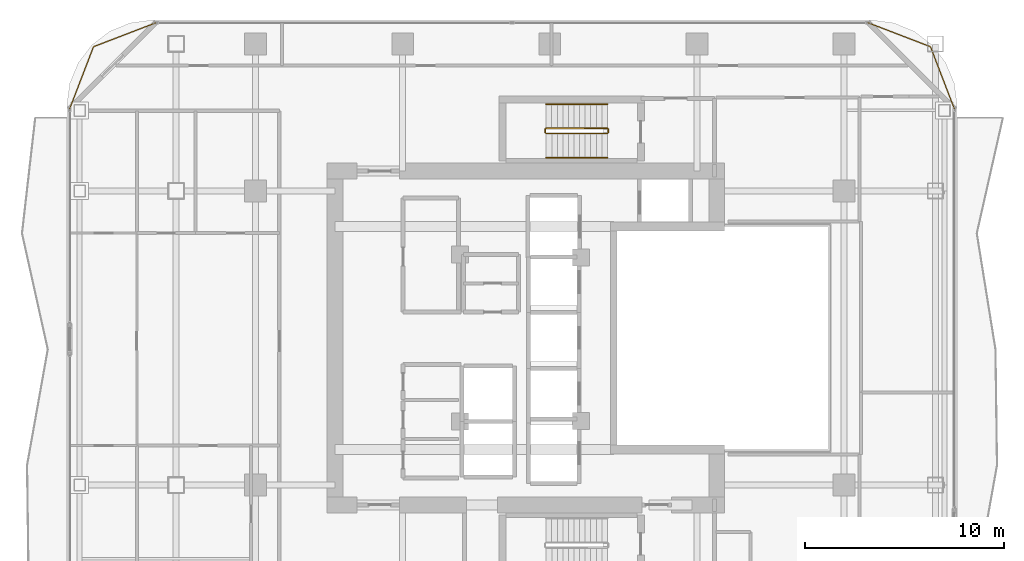
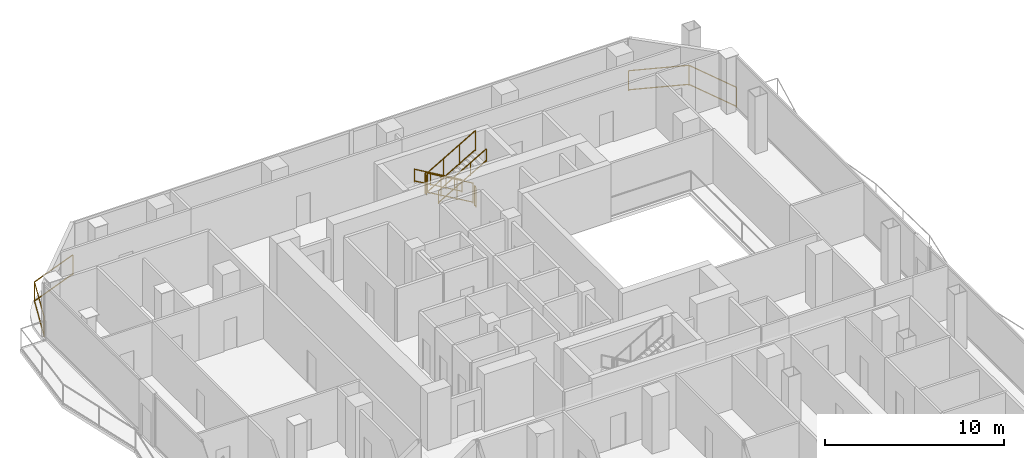
# One storey, part 24 of 24: 8 railings.
"""IFC4 building model written with IfcOpenShell, lengths in metres."""

import ifcopenshell
import ifcopenshell.guid

model = None  # the IFC model being written
_history = None  # IfcOwnerHistory: only IFC2X3 demands one
_inside = {}  # id of a spatial element -> (the spatial element, [elements in it])
_under = {}  # id of a project, library or spatial element -> (it, [spatial elements below it])
_declared = {}  # id of a project -> (the project, [libraries it declares])
_typed = {}  # id of a type object -> (the type object, [elements of that type])
_made_of = {}  # id of a material, layer set ... -> (it, [elements and type objects made of it])


def new_model(schema):
    """Start an empty IFC model of exactly this schema.

    Asked for "IFC4X3", IfcOpenShell would pick the latest addendum, in which some entities
    have other attributes; the version numbers below select the first issue.
    IFC2X3 requires an IfcOwnerHistory on every rooted entity: one is made here for all.
    """
    global model, _history
    if schema == "IFC4X3":
        model = ifcopenshell.file(schema_version=(4, 3, 0, 0))
    else:
        model = ifcopenshell.file(schema=schema)
    _inside.clear()
    _under.clear()
    _declared.clear()
    _typed.clear()
    _made_of.clear()
    _history = None
    if model.schema == "IFC2X3":
        org = make("IfcOrganization", Name="unknown")
        user = make(
            "IfcPersonAndOrganization",
            ThePerson=make("IfcPerson", FamilyName="unknown"),
            TheOrganization=org,
        )
        app = make(
            "IfcApplication",
            ApplicationDeveloper=org,
            Version="unknown",
            ApplicationFullName="unknown",
            ApplicationIdentifier="unknown",
        )
        _history = make(
            "IfcOwnerHistory",
            OwningUser=user,
            OwningApplication=app,
            ChangeAction="ADDED",
            CreationDate=0,
        )
    return model


def make(cls, **values):
    """One entity of the class cls with the attributes given. An attribute that is None is left unset."""
    return model.create_entity(
        cls, **{name: value for name, value in values.items() if value is not None}
    )


def rooted(cls, **values):
    """An entity with a GlobalId (a new one), such as an element, a storey or a relation."""
    return make(cls, GlobalId=ifcopenshell.guid.new(), OwnerHistory=_history, **values)


def si_unit(unit_type, name, prefix=None):
    """IfcSIUnit, for example si_unit("LENGTHUNIT", "METRE", prefix="MILLI")."""
    return make("IfcSIUnit", UnitType=unit_type, Prefix=prefix, Name=name)


def assignment(units):
    """IfcUnitAssignment: the units of a project."""
    return None if units is None else make("IfcUnitAssignment", Units=units)


def point(xyz):
    """IfcCartesianPoint."""
    return None if xyz is None else make("IfcCartesianPoint", Coordinates=xyz)


def direction(xyz):
    """IfcDirection."""
    return None if xyz is None else make("IfcDirection", DirectionRatios=xyz)


def frame(location, z_axis=None, x_axis=None):
    """IfcAxis2Placement3D, a coordinate frame: its origin and axes. An axis left out is left unset."""
    return make(
        "IfcAxis2Placement3D",
        Location=point(location),
        Axis=direction(z_axis),
        RefDirection=direction(x_axis),
    )


def frame_2d(location, x_axis=None):
    """IfcAxis2Placement2D, a coordinate frame in the plane: its origin and x axis."""
    return make(
        "IfcAxis2Placement2D", Location=point(location), RefDirection=direction(x_axis)
    )


def origin():
    """The frame at (0, 0, 0) with its axes left unset."""
    return frame((0.0, 0.0, 0.0))


def origin_2d():
    """The frame at (0, 0) in the plane with its x axis left unset."""
    return frame_2d((0.0, 0.0))


def place(relative_to, where):
    """IfcLocalPlacement: puts the frame where relative to a parent placement (None: the world)."""
    return make(
        "IfcLocalPlacement", PlacementRelTo=relative_to, RelativePlacement=where
    )


def context(
    kind, dimensions, precision=None, world=None, true_north=None, identifier=None
):
    """IfcGeometricRepresentationContext, for example the 3D "Model" context."""
    return make(
        "IfcGeometricRepresentationContext",
        ContextIdentifier=identifier,
        ContextType=kind,
        CoordinateSpaceDimension=dimensions,
        Precision=precision,
        WorldCoordinateSystem=world,
        TrueNorth=true_north,
    )


def subcontext(parent, identifier, kind, view, scale=None):
    """IfcGeometricRepresentationSubContext, for example "Body" below "Model"."""
    return make(
        "IfcGeometricRepresentationSubContext",
        ContextIdentifier=identifier,
        ContextType=kind,
        ParentContext=parent,
        TargetScale=scale,
        TargetView=view,
    )


def project(units=None, contexts=None):
    """IfcProject with its units and contexts."""
    return rooted(
        "IfcProject",
        Name="project",
        RepresentationContexts=contexts,
        UnitsInContext=assignment(units),
    )


def spatial(cls, under=None, at=None, **own):
    """A site, building, storey or space (cls), placed at a placement, below another one or the project."""
    s = rooted(cls, ObjectPlacement=at, **own)
    if under is not None:
        _under.setdefault(under.id(), (under, []))[1].append(s)
    return s


def profile(cls, at=None, kind="AREA", **sizes):
    """A parametric profile (cls). Its sizes go by their IFC names, for example OverallWidth=200.0."""
    return make(cls, ProfileType=kind, Position=at, **sizes)


def rectangle(**sizes):
    """IfcRectangleProfileDef."""
    return profile("IfcRectangleProfileDef", **sizes)


def extrude(swept, where, along, depth):
    """IfcExtrudedAreaSolid: the profile swept, set in the frame where, extruded along a direction by depth."""
    return make(
        "IfcExtrudedAreaSolid",
        SweptArea=swept,
        Position=where,
        ExtrudedDirection=direction(along),
        Depth=depth,
    )


def shape(context_of_items, identifier, shape_type, items):
    """IfcShapeRepresentation: the items that make up one representation, for example the "Body"."""
    return make(
        "IfcShapeRepresentation",
        ContextOfItems=context_of_items,
        RepresentationIdentifier=identifier,
        RepresentationType=shape_type,
        Items=items,
    )


def material(Name=None, Category=None):
    """IfcMaterial."""
    return make("IfcMaterial", Name=Name, Category=Category)


def made_of(thing, what):
    """Note that an element or type object is made of a material, layer set ...; save() writes the relation."""
    if what is not None:
        _made_of.setdefault(what.id(), (what, []))[1].append(thing)
    return thing


def type_object(cls, material=None, **own):
    """A type object (cls), such as IfcWallType, which elements share."""
    return made_of(rooted(cls, **own), material)


def element(
    cls,
    number,
    at=None,
    inside=None,
    cuts=None,
    type_object=None,
    material=None,
    context=None,
    identifier="Body",
    shape_type=None,
    held_by="IfcProductDefinitionShape",
    body=None,
    shapes=None,
    **own,
):
    """One element of the class cls, such as IfcWall. Its Tag is "e" and its number.

    at: its placement. inside: the storey or other place that contains it. cuts: it is an
    opening in that element (IfcRelVoidsElement). A single representation is given by context,
    identifier, shape_type and body (its items); several are given by shapes. held_by: the class
    of the entity that holds the representations. save() writes the other relations.
    """
    e = rooted(cls, Tag="e%d" % number, ObjectPlacement=at, **own)
    if body is not None:
        shapes = [shape(context, identifier, shape_type, body)]
    if shapes is not None:
        e.Representation = make(held_by, Representations=shapes)
    if inside is not None:
        _inside.setdefault(inside.id(), (inside, []))[1].append(e)
    if cuts is not None:
        rooted(
            "IfcRelVoidsElement", RelatingBuildingElement=cuts, RelatedOpeningElement=e
        )
    if type_object is not None:
        _typed.setdefault(type_object.id(), (type_object, []))[1].append(e)
    return made_of(e, material)


def aggregate(whole, parts):
    """IfcRelAggregates: a whole, such as a stair, and the parts it consists of."""
    return rooted("IfcRelAggregates", RelatingObject=whole, RelatedObjects=parts)


def save(model, path):
    """Write the relations noted so far, then the file.

    IfcRelAggregates (storeys below a building ...), IfcRelContainedInSpatialStructure (elements
    in a storey), IfcRelDefinesByType, IfcRelAssociatesMaterial and IfcRelDeclares: one each for
    every whole, place, type object, material and project.
    """
    for whole, parts in _under.values():
        aggregate(whole, parts)
    for where, things in _inside.values():
        rooted(
            "IfcRelContainedInSpatialStructure",
            RelatedElements=things,
            RelatingStructure=where,
        )
    for kind, things in _typed.values():
        rooted("IfcRelDefinesByType", RelatedObjects=things, RelatingType=kind)
    for what, things in _made_of.values():
        rooted("IfcRelAssociatesMaterial", RelatedObjects=things, RelatingMaterial=what)
    for by, libraries in _declared.values():
        rooted("IfcRelDeclares", RelatingContext=by, RelatedDefinitions=libraries)
    model.write(path)


model = new_model("IFC4")

# Units and contexts
model_context = context("Model", 3, precision=1e-05, world=origin(), true_north=direction((0.0, 1.0)))
body_context = subcontext(model_context, "Body", "Model", "MODEL_VIEW")
ifc_project = project(units=[si_unit("LENGTHUNIT", "METRE"), si_unit("AREAUNIT", "SQUARE_METRE"), si_unit("VOLUMEUNIT", "CUBIC_METRE"), si_unit("PLANEANGLEUNIT", "RADIAN"), si_unit("MASSUNIT", "GRAM", prefix="KILO")], contexts=[model_context])

# Site, building, storey
site_placement = place(None, origin())
site = spatial("IfcSite", under=ifc_project, at=site_placement, CompositionType="ELEMENT")
building_placement = place(site_placement, origin())
building = spatial("IfcBuilding", under=site, at=building_placement, Name="Khorvyn Point Tower", CompositionType="ELEMENT")
storey_placement = place(building_placement, frame((0.0, 0.0, 215.699951171875)))
storey = spatial("IfcBuildingStorey", under=building, at=storey_placement, Name="L53", CompositionType="ELEMENT", Elevation=215.699951171875)

# Railings
ifc_material_1 = material(Name="Anodised aluminium 6063-T6 and laminated safety glass", Category="aluminium")
railing_type_1 = type_object("IfcRailingType", Name="Laminated Glass and Aluminium Balcony Guardrail 1400", PredefinedType="BALUSTRADE", material=ifc_material_1)
railing_1_placement = place(storey_placement, frame((-19.78125, 15.874267578125, 0.0)))
element("IfcRailing", 1, at=railing_1_placement, inside=storey, type_object=railing_type_1, Name="L53 Rounded Corner Edge Guardrail NW", PredefinedType="BALUSTRADE", context=body_context, shape_type="SweptSolid", body=[
    extrude(rectangle(XDim=0.048095703125, YDim=0.048095703125, at=origin_2d()), frame((0.0, 0.0, 1.3759765625), z_axis=(-0.933589651443, -0.358343916815, 0.0), x_axis=(0.358343916815, -0.933589651443, 0.0)), (0.0, 0.0, 1.0), 3.400390625),
    extrude(rectangle(XDim=0.048095703125, YDim=0.048095703125, at=origin_2d()), frame((0.0, 0.0, 0.080078125), z_axis=(-0.933589651443, -0.358343916815, 0.0), x_axis=(0.358343916815, -0.933589651443, 0.0)), (0.0, 0.0, 1.0), 3.400390625),
    extrude(rectangle(XDim=0.048095703125, YDim=0.048095703125, at=origin_2d()), frame((-3.174560546875, -1.218505859375, 1.3759765625), z_axis=(-0.358343916815, -0.933589651443, 0.0), x_axis=(0.933589651443, -0.358343916815, 0.0)), (0.0, 0.0, 1.0), 3.400390625),
    extrude(rectangle(XDim=0.048095703125, YDim=0.048095703125, at=origin_2d()), frame((-3.174560546875, -1.218505859375, 0.080078125), z_axis=(-0.358343916815, -0.933589651443, 0.0), x_axis=(0.933589651443, -0.358343916815, 0.0)), (0.0, 0.0, 1.0), 3.400390625),
    extrude(rectangle(XDim=0.0419921875, YDim=0.0419921875, at=origin_2d()), origin(), (0.0, 0.0, 1.0), 1.351806640625),
    extrude(rectangle(XDim=0.0419921875, YDim=0.0419921875, at=origin_2d()), frame((-3.174560546875, -1.218505859375, 0.0)), (0.0, 0.0, 1.0), 1.351806640625),
    extrude(rectangle(XDim=0.0419921875, YDim=0.0419921875, at=origin_2d()), frame((-4.39306640625, -4.39306640625, 0.0)), (0.0, 0.0, 1.0), 1.351806640625),
])
railing_2_placement = place(storey_placement, frame((20.374267578125, 11.481201171875, 0.0)))
element("IfcRailing", 2, at=railing_2_placement, inside=storey, type_object=railing_type_1, Name="L53 Rounded Corner Edge Guardrail NE", PredefinedType="BALUSTRADE", context=body_context, shape_type="SweptSolid", body=[
    extrude(rectangle(XDim=0.048095703125, YDim=0.048095703125, at=origin_2d()), frame((0.0, 0.0, 1.3759765625), z_axis=(-0.358343916815, 0.933589651443, 0.0), x_axis=(-0.933589651443, -0.358343916815, 0.0)), (0.0, 0.0, 1.0), 3.400390625),
    extrude(rectangle(XDim=0.048095703125, YDim=0.048095703125, at=origin_2d()), frame((0.0, 0.0, 0.080078125), z_axis=(-0.358343916815, 0.933589651443, 0.0), x_axis=(-0.933589651443, -0.358343916815, 0.0)), (0.0, 0.0, 1.0), 3.400390625),
    extrude(rectangle(XDim=0.048095703125, YDim=0.048095703125, at=origin_2d()), frame((-1.218505859375, 3.174560546875, 1.3759765625), z_axis=(-0.933589651443, 0.358343916815, 0.0), x_axis=(-0.358343916815, -0.933589651443, 0.0)), (0.0, 0.0, 1.0), 3.400390625),
    extrude(rectangle(XDim=0.048095703125, YDim=0.048095703125, at=origin_2d()), frame((-1.218505859375, 3.174560546875, 0.080078125), z_axis=(-0.933589651443, 0.358343916815, 0.0), x_axis=(-0.358343916815, -0.933589651443, 0.0)), (0.0, 0.0, 1.0), 3.400390625),
    extrude(rectangle(XDim=0.0419921875, YDim=0.0419921875, at=origin_2d()), origin(), (0.0, 0.0, 1.0), 1.351806640625),
    extrude(rectangle(XDim=0.0419921875, YDim=0.0419921875, at=origin_2d()), frame((-1.218505859375, 3.174560546875, 0.0)), (0.0, 0.0, 1.0), 1.351806640625),
    extrude(rectangle(XDim=0.0419921875, YDim=0.0419921875, at=origin_2d()), frame((-4.39306640625, 4.39306640625, 0.0)), (0.0, 0.0, 1.0), 1.351806640625),
])
ifc_material_2 = material(Name="Stainless steel 1.4301", Category="steel")
railing_type_2 = type_object("IfcRailingType", Name="Stainless Steel 304 Stair Pitch Handrail 900", PredefinedType="HANDRAIL", material=ifc_material_2)
railing_3_placement = place(storey_placement, frame((2.89990234375, 11.77001953125, 0.16259765625)))
element("IfcRailing", 3, at=railing_3_placement, inside=storey, type_object=railing_type_2, Name="L53 ST-02 stair handrail 1", PredefinedType="HANDRAIL", context=body_context, shape_type="SweptSolid", body=[
    extrude(rectangle(XDim=0.048095703125, YDim=0.048095703125, at=origin_2d()), frame((0.0, 0.0, 0.8759765625), z_axis=(-0.864903211148, 0.0, 0.501938676878), x_axis=(0.0, -1.0, 0.0)), (0.0, 0.0, 1.0), 3.560791015625),
    extrude(rectangle(XDim=0.048095703125, YDim=0.048095703125, at=origin_2d()), frame((0.0, 0.0, 0.080078125), z_axis=(-0.864903211148, 0.0, 0.501938676878), x_axis=(0.0, -1.0, 0.0)), (0.0, 0.0, 1.0), 3.560791015625),
    extrude(rectangle(XDim=0.0419921875, YDim=0.0419921875, at=origin_2d()), origin(), (0.0, 0.0, 1.0), 0.851806640625),
    extrude(rectangle(XDim=0.0419921875, YDim=0.0419921875, at=origin_2d()), frame((-1.026611328125, 0.0, 0.595703125)), (0.0, 0.0, 1.0), 0.851806640625),
    extrude(rectangle(XDim=0.0419921875, YDim=0.0419921875, at=origin_2d()), frame((-2.05322265625, 0.0, 1.191650390625)), (0.0, 0.0, 1.0), 0.851806640625),
    extrude(rectangle(XDim=0.0419921875, YDim=0.0419921875, at=origin_2d()), frame((-3.079833984375, 0.0, 1.787353515625)), (0.0, 0.0, 1.0), 0.851806640625),
])
railing_4_placement = place(storey_placement, frame((-0.179931640625, 9.070068359375, 2.112548828125)))
element("IfcRailing", 4, at=railing_4_placement, inside=storey, type_object=railing_type_2, Name="L53 ST-02 stair handrail 2", PredefinedType="HANDRAIL", context=body_context, shape_type="SweptSolid", body=[
    extrude(rectangle(XDim=0.048095703125, YDim=0.048095703125, at=origin_2d()), frame((0.0, 0.0, 0.8759765625), z_axis=(0.864873446163, 0.0, 0.501989962173), x_axis=(0.0, 1.0, 0.0)), (0.0, 0.0, 1.0), 3.56103515625),
    extrude(rectangle(XDim=0.048095703125, YDim=0.048095703125, at=origin_2d()), frame((0.0, 0.0, 0.080078125), z_axis=(0.864873446163, 0.0, 0.501989962173), x_axis=(0.0, 1.0, 0.0)), (0.0, 0.0, 1.0), 3.56103515625),
    extrude(rectangle(XDim=0.0419921875, YDim=0.0419921875, at=origin_2d()), origin(), (0.0, 0.0, 1.0), 0.851806640625),
    extrude(rectangle(XDim=0.0419921875, YDim=0.0419921875, at=origin_2d()), frame((1.026611328125, 0.0, 0.595947265625)), (0.0, 0.0, 1.0), 0.851806640625),
    extrude(rectangle(XDim=0.0419921875, YDim=0.0419921875, at=origin_2d()), frame((2.05322265625, 0.0, 1.191650390625)), (0.0, 0.0, 1.0), 0.851806640625),
    extrude(rectangle(XDim=0.0419921875, YDim=0.0419921875, at=origin_2d()), frame((3.079833984375, 0.0, 1.78759765625)), (0.0, 0.0, 1.0), 0.851806640625),
])
railing_type_3 = type_object("IfcRailingType", Name="Stainless Steel 304 Stair Well Guardrail 1400", PredefinedType="GUARDRAIL", material=ifc_material_2)
railing_5_placement = place(storey_placement, frame((2.89990234375, 10.550048828125, 0.16259765625)))
element("IfcRailing", 5, at=railing_5_placement, inside=storey, type_object=railing_type_3, Name="L53 ST-02 stair guard 1", PredefinedType="GUARDRAIL", context=body_context, shape_type="SweptSolid", body=[
    extrude(rectangle(XDim=0.048095703125, YDim=0.048095703125, at=origin_2d()), frame((0.0, 0.0, 1.3759765625), z_axis=(-0.864903211148, 0.0, 0.501938676878), x_axis=(0.0, -1.0, 0.0)), (0.0, 0.0, 1.0), 3.560791015625),
    extrude(rectangle(XDim=0.048095703125, YDim=0.048095703125, at=origin_2d()), frame((0.0, 0.0, 0.080078125), z_axis=(-0.864903211148, 0.0, 0.501938676878), x_axis=(0.0, -1.0, 0.0)), (0.0, 0.0, 1.0), 3.560791015625),
    extrude(rectangle(XDim=0.0419921875, YDim=0.0419921875, at=origin_2d()), origin(), (0.0, 0.0, 1.0), 1.351806640625),
    extrude(rectangle(XDim=0.0419921875, YDim=0.0419921875, at=origin_2d()), frame((-1.026611328125, 0.0, 0.595703125)), (0.0, 0.0, 1.0), 1.351806640625),
    extrude(rectangle(XDim=0.0419921875, YDim=0.0419921875, at=origin_2d()), frame((-2.05322265625, 0.0, 1.191650390625)), (0.0, 0.0, 1.0), 1.351806640625),
    extrude(rectangle(XDim=0.0419921875, YDim=0.0419921875, at=origin_2d()), frame((-3.079833984375, 0.0, 1.787353515625)), (0.0, 0.0, 1.0), 1.351806640625),
])
railing_6_placement = place(storey_placement, frame((-0.22998046875, 10.5, 1.949951171875)))
element("IfcRailing", 6, at=railing_6_placement, inside=storey, type_object=railing_type_3, Name="L53 ST-02 stair guard 2", PredefinedType="GUARDRAIL", context=body_context, shape_type="SweptSolid", body=[
    extrude(rectangle(XDim=0.048095703125, YDim=0.048095703125, at=origin_2d()), frame((0.0, 0.0, 1.3759765625), z_axis=(0.0, -1.0, 0.0), x_axis=(1.0, 0.0, 0.0)), (0.0, 0.0, 1.0), 0.159912109375),
    extrude(rectangle(XDim=0.048095703125, YDim=0.048095703125, at=origin_2d()), frame((0.0, 0.0, 0.080078125), z_axis=(0.0, -1.0, 0.0), x_axis=(1.0, 0.0, 0.0)), (0.0, 0.0, 1.0), 0.159912109375),
    extrude(rectangle(XDim=0.0419921875, YDim=0.0419921875, at=origin_2d()), origin(), (0.0, 0.0, 1.0), 1.351806640625),
    extrude(rectangle(XDim=0.0419921875, YDim=0.0419921875, at=origin_2d()), frame((0.0, -0.159912109375, 0.0)), (0.0, 0.0, 1.0), 1.351806640625),
])
railing_7_placement = place(storey_placement, frame((-0.179931640625, 10.2900390625, 2.112548828125)))
element("IfcRailing", 7, at=railing_7_placement, inside=storey, type_object=railing_type_3, Name="L53 ST-02 stair guard 3", PredefinedType="GUARDRAIL", context=body_context, shape_type="SweptSolid", body=[
    extrude(rectangle(XDim=0.048095703125, YDim=0.048095703125, at=origin_2d()), frame((0.0, 0.0, 1.3759765625), z_axis=(0.864873446163, 0.0, 0.501989962173), x_axis=(0.0, 1.0, 0.0)), (0.0, 0.0, 1.0), 3.56103515625),
    extrude(rectangle(XDim=0.048095703125, YDim=0.048095703125, at=origin_2d()), frame((0.0, 0.0, 0.080078125), z_axis=(0.864873446163, 0.0, 0.501989962173), x_axis=(0.0, 1.0, 0.0)), (0.0, 0.0, 1.0), 3.56103515625),
    extrude(rectangle(XDim=0.0419921875, YDim=0.0419921875, at=origin_2d()), origin(), (0.0, 0.0, 1.0), 1.351806640625),
    extrude(rectangle(XDim=0.0419921875, YDim=0.0419921875, at=origin_2d()), frame((1.026611328125, 0.0, 0.595947265625)), (0.0, 0.0, 1.0), 1.351806640625),
    extrude(rectangle(XDim=0.0419921875, YDim=0.0419921875, at=origin_2d()), frame((2.05322265625, 0.0, 1.191650390625)), (0.0, 0.0, 1.0), 1.351806640625),
    extrude(rectangle(XDim=0.0419921875, YDim=0.0419921875, at=origin_2d()), frame((3.079833984375, 0.0, 1.78759765625)), (0.0, 0.0, 1.0), 1.351806640625),
])
railing_8_placement = place(storey_placement, frame((2.949951171875, 10.5, 0.0)))
element("IfcRailing", 8, at=railing_8_placement, inside=storey, type_object=railing_type_3, Name="L53 ST-02 stair guard 4", PredefinedType="GUARDRAIL", context=body_context, shape_type="SweptSolid", body=[
    extrude(rectangle(XDim=0.048095703125, YDim=0.048095703125, at=origin_2d()), frame((0.0, 0.0, 1.3759765625), z_axis=(0.0, -1.0, 0.0), x_axis=(1.0, 0.0, 0.0)), (0.0, 0.0, 1.0), 0.159912109375),
    extrude(rectangle(XDim=0.048095703125, YDim=0.048095703125, at=origin_2d()), frame((0.0, 0.0, 0.080078125), z_axis=(0.0, -1.0, 0.0), x_axis=(1.0, 0.0, 0.0)), (0.0, 0.0, 1.0), 0.159912109375),
    extrude(rectangle(XDim=0.0419921875, YDim=0.0419921875, at=origin_2d()), origin(), (0.0, 0.0, 1.0), 1.351806640625),
    extrude(rectangle(XDim=0.0419921875, YDim=0.0419921875, at=origin_2d()), frame((0.0, -0.159912109375, 0.0)), (0.0, 0.0, 1.0), 1.351806640625),
])

save(model, "model.ifc")
